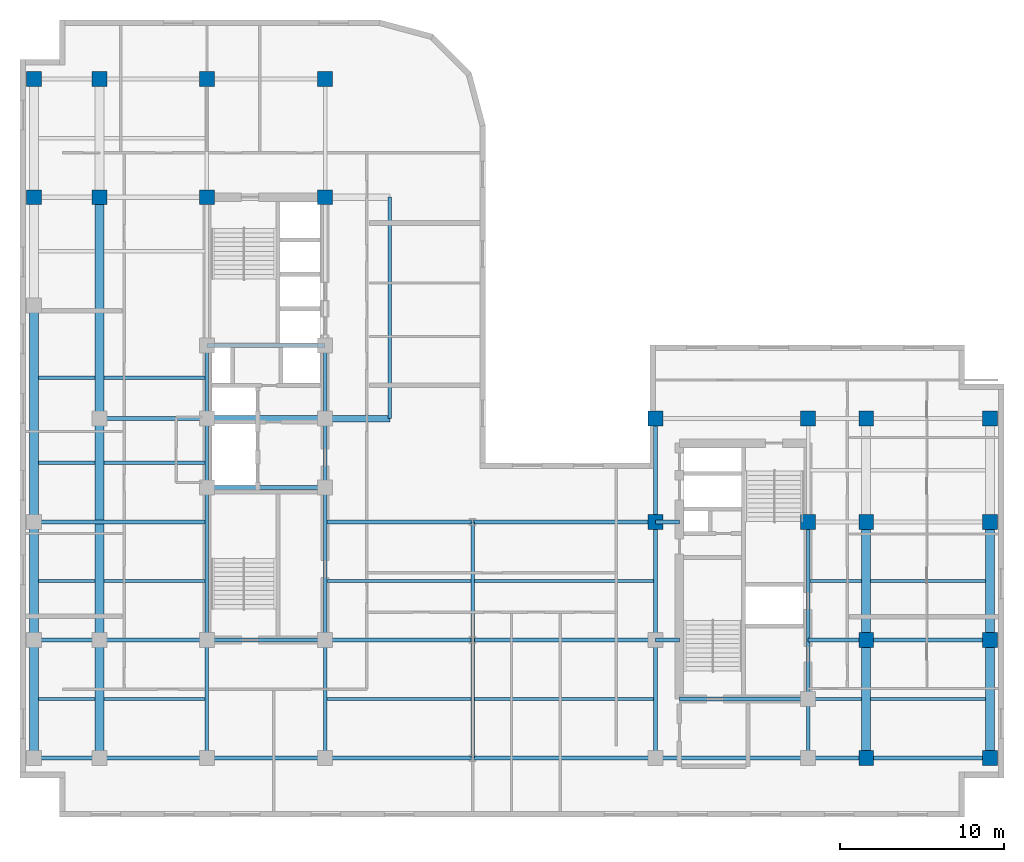
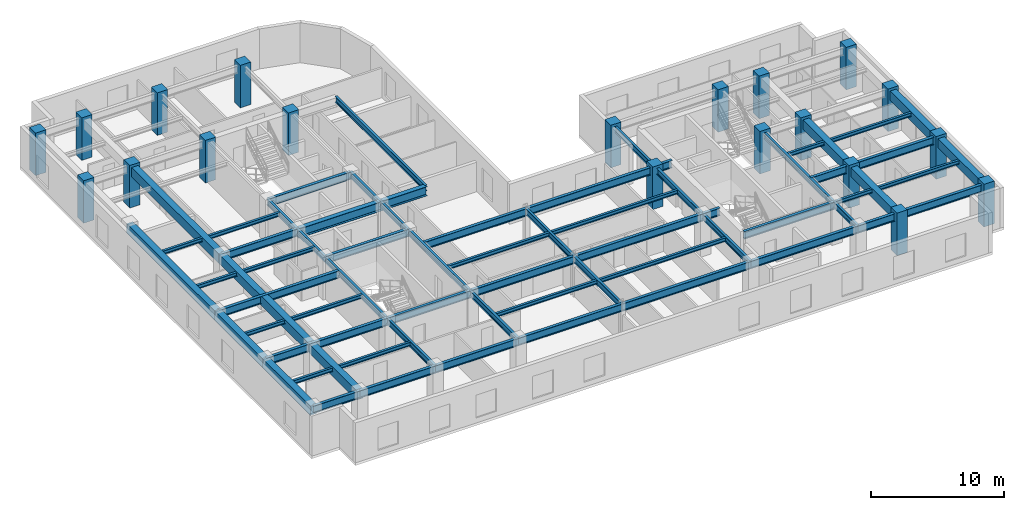
# One storey, part 2 of 11: 67 beams, 20 columns.
"""IFC4 building model written with IfcOpenShell, lengths in metres."""

import ifcopenshell
import ifcopenshell.guid

model = None  # the IFC model being written
_history = None  # IfcOwnerHistory: only IFC2X3 demands one
_inside = {}  # id of a spatial element -> (the spatial element, [elements in it])
_under = {}  # id of a project, library or spatial element -> (it, [spatial elements below it])
_declared = {}  # id of a project -> (the project, [libraries it declares])
_typed = {}  # id of a type object -> (the type object, [elements of that type])
_made_of = {}  # id of a material, layer set ... -> (it, [elements and type objects made of it])


def new_model(schema):
    """Start an empty IFC model of exactly this schema.

    Asked for "IFC4X3", IfcOpenShell would pick the latest addendum, in which some entities
    have other attributes; the version numbers below select the first issue.
    IFC2X3 requires an IfcOwnerHistory on every rooted entity: one is made here for all.
    """
    global model, _history
    if schema == "IFC4X3":
        model = ifcopenshell.file(schema_version=(4, 3, 0, 0))
    else:
        model = ifcopenshell.file(schema=schema)
    _inside.clear()
    _under.clear()
    _declared.clear()
    _typed.clear()
    _made_of.clear()
    _history = None
    if model.schema == "IFC2X3":
        org = make("IfcOrganization", Name="unknown")
        user = make(
            "IfcPersonAndOrganization",
            ThePerson=make("IfcPerson", FamilyName="unknown"),
            TheOrganization=org,
        )
        app = make(
            "IfcApplication",
            ApplicationDeveloper=org,
            Version="unknown",
            ApplicationFullName="unknown",
            ApplicationIdentifier="unknown",
        )
        _history = make(
            "IfcOwnerHistory",
            OwningUser=user,
            OwningApplication=app,
            ChangeAction="ADDED",
            CreationDate=0,
        )
    return model


def make(cls, **values):
    """One entity of the class cls with the attributes given. An attribute that is None is left unset."""
    return model.create_entity(
        cls, **{name: value for name, value in values.items() if value is not None}
    )


def entity(cls, *values):
    """Any entity or typed value of the class cls, its attributes in the order of the schema. None: left unset."""
    e = model.create_entity(cls)
    for i, value in enumerate(values):
        if value is not None:
            e[i] = value
    return e


def rooted(cls, **values):
    """An entity with a GlobalId (a new one), such as an element, a storey or a relation."""
    return make(cls, GlobalId=ifcopenshell.guid.new(), OwnerHistory=_history, **values)


def si_unit(unit_type, name, prefix=None):
    """IfcSIUnit, for example si_unit("LENGTHUNIT", "METRE", prefix="MILLI")."""
    return make("IfcSIUnit", UnitType=unit_type, Prefix=prefix, Name=name)


def converted_unit(unit_type, name, factor, base, dimensions=None, offset=None):
    """IfcConversionBasedUnit, such as the inch: factor (a typed value) times the base unit."""
    return make(
        "IfcConversionBasedUnit"
        if offset is None
        else "IfcConversionBasedUnitWithOffset",
        ConversionOffset=offset,
        Dimensions=None
        if dimensions is None
        else entity("IfcDimensionalExponents", *dimensions),
        UnitType=unit_type,
        Name=name,
        ConversionFactor=make(
            "IfcMeasureWithUnit", ValueComponent=factor, UnitComponent=base
        ),
    )


def assignment(units):
    """IfcUnitAssignment: the units of a project."""
    return None if units is None else make("IfcUnitAssignment", Units=units)


def point(xyz):
    """IfcCartesianPoint."""
    return None if xyz is None else make("IfcCartesianPoint", Coordinates=xyz)


def direction(xyz):
    """IfcDirection."""
    return None if xyz is None else make("IfcDirection", DirectionRatios=xyz)


def frame(location, z_axis=None, x_axis=None):
    """IfcAxis2Placement3D, a coordinate frame: its origin and axes. An axis left out is left unset."""
    return make(
        "IfcAxis2Placement3D",
        Location=point(location),
        Axis=direction(z_axis),
        RefDirection=direction(x_axis),
    )


def frame_2d(location, x_axis=None):
    """IfcAxis2Placement2D, a coordinate frame in the plane: its origin and x axis."""
    return make(
        "IfcAxis2Placement2D", Location=point(location), RefDirection=direction(x_axis)
    )


def origin_with_axes():
    """The frame at (0, 0, 0) with the z axis (0, 0, 1) and the x axis (1, 0, 0) written out."""
    return frame((0.0, 0.0, 0.0), z_axis=(0.0, 0.0, 1.0), x_axis=(1.0, 0.0, 0.0))


def origin_2d_with_axis():
    """The frame at (0, 0) in the plane with the x axis (1, 0) written out."""
    return frame_2d((0.0, 0.0), x_axis=(1.0, 0.0))


def place(relative_to, where):
    """IfcLocalPlacement: puts the frame where relative to a parent placement (None: the world)."""
    return make(
        "IfcLocalPlacement", PlacementRelTo=relative_to, RelativePlacement=where
    )


def context(
    kind, dimensions, precision=None, world=None, true_north=None, identifier=None
):
    """IfcGeometricRepresentationContext, for example the 3D "Model" context."""
    return make(
        "IfcGeometricRepresentationContext",
        ContextIdentifier=identifier,
        ContextType=kind,
        CoordinateSpaceDimension=dimensions,
        Precision=precision,
        WorldCoordinateSystem=world,
        TrueNorth=true_north,
    )


def subcontext(parent, identifier, kind, view, scale=None):
    """IfcGeometricRepresentationSubContext, for example "Body" below "Model"."""
    return make(
        "IfcGeometricRepresentationSubContext",
        ContextIdentifier=identifier,
        ContextType=kind,
        ParentContext=parent,
        TargetScale=scale,
        TargetView=view,
    )


def project(units=None, contexts=None):
    """IfcProject with its units and contexts."""
    return rooted(
        "IfcProject",
        Name="project",
        RepresentationContexts=contexts,
        UnitsInContext=assignment(units),
    )


def spatial(cls, under=None, at=None, **own):
    """A site, building, storey or space (cls), placed at a placement, below another one or the project."""
    s = rooted(cls, ObjectPlacement=at, **own)
    if under is not None:
        _under.setdefault(under.id(), (under, []))[1].append(s)
    return s


def profile(cls, at=None, kind="AREA", **sizes):
    """A parametric profile (cls). Its sizes go by their IFC names, for example OverallWidth=200.0."""
    return make(cls, ProfileType=kind, Position=at, **sizes)


def rectangle(**sizes):
    """IfcRectangleProfileDef."""
    return profile("IfcRectangleProfileDef", **sizes)


def i_section(**sizes):
    """IfcIShapeProfileDef."""
    return profile("IfcIShapeProfileDef", **sizes)


def extrude(swept, where, along, depth):
    """IfcExtrudedAreaSolid: the profile swept, set in the frame where, extruded along a direction by depth."""
    return make(
        "IfcExtrudedAreaSolid",
        SweptArea=swept,
        Position=where,
        ExtrudedDirection=direction(along),
        Depth=depth,
    )


def shape(context_of_items, identifier, shape_type, items):
    """IfcShapeRepresentation: the items that make up one representation, for example the "Body"."""
    return make(
        "IfcShapeRepresentation",
        ContextOfItems=context_of_items,
        RepresentationIdentifier=identifier,
        RepresentationType=shape_type,
        Items=items,
    )


def material(Name=None, Category=None):
    """IfcMaterial."""
    return make("IfcMaterial", Name=Name, Category=Category)


def material_profile(
    of_material, cross_section, Name=None, Category=None, Priority=None
):
    """IfcMaterialProfile: a cross section and its material."""
    return make(
        "IfcMaterialProfile",
        Name=Name,
        Material=of_material,
        Profile=cross_section,
        Priority=Priority,
        Category=Category,
    )


def profile_set(profiles, Name=None, composite=None):
    """IfcMaterialProfileSet."""
    return make(
        "IfcMaterialProfileSet",
        Name=Name,
        MaterialProfiles=profiles,
        CompositeProfile=composite,
    )


def made_of(thing, what):
    """Note that an element or type object is made of a material, layer set ...; save() writes the relation."""
    if what is not None:
        _made_of.setdefault(what.id(), (what, []))[1].append(thing)
    return thing


def type_object(cls, material=None, **own):
    """A type object (cls), such as IfcWallType, which elements share."""
    return made_of(rooted(cls, **own), material)


def element(
    cls,
    number,
    at=None,
    inside=None,
    cuts=None,
    type_object=None,
    material=None,
    context=None,
    identifier="Body",
    shape_type=None,
    held_by="IfcProductDefinitionShape",
    body=None,
    shapes=None,
    **own,
):
    """One element of the class cls, such as IfcWall. Its Tag is "e" and its number.

    at: its placement. inside: the storey or other place that contains it. cuts: it is an
    opening in that element (IfcRelVoidsElement). A single representation is given by context,
    identifier, shape_type and body (its items); several are given by shapes. held_by: the class
    of the entity that holds the representations. save() writes the other relations.
    """
    e = rooted(cls, Tag="e%d" % number, ObjectPlacement=at, **own)
    if body is not None:
        shapes = [shape(context, identifier, shape_type, body)]
    if shapes is not None:
        e.Representation = make(held_by, Representations=shapes)
    if inside is not None:
        _inside.setdefault(inside.id(), (inside, []))[1].append(e)
    if cuts is not None:
        rooted(
            "IfcRelVoidsElement", RelatingBuildingElement=cuts, RelatedOpeningElement=e
        )
    if type_object is not None:
        _typed.setdefault(type_object.id(), (type_object, []))[1].append(e)
    return made_of(e, material)


def aggregate(whole, parts):
    """IfcRelAggregates: a whole, such as a stair, and the parts it consists of."""
    return rooted("IfcRelAggregates", RelatingObject=whole, RelatedObjects=parts)


def save(model, path):
    """Write the relations noted so far, then the file.

    IfcRelAggregates (storeys below a building ...), IfcRelContainedInSpatialStructure (elements
    in a storey), IfcRelDefinesByType, IfcRelAssociatesMaterial and IfcRelDeclares: one each for
    every whole, place, type object, material and project.
    """
    for whole, parts in _under.values():
        aggregate(whole, parts)
    for where, things in _inside.values():
        rooted(
            "IfcRelContainedInSpatialStructure",
            RelatedElements=things,
            RelatingStructure=where,
        )
    for kind, things in _typed.values():
        rooted("IfcRelDefinesByType", RelatedObjects=things, RelatingType=kind)
    for what, things in _made_of.values():
        rooted("IfcRelAssociatesMaterial", RelatedObjects=things, RelatingMaterial=what)
    for by, libraries in _declared.values():
        rooted("IfcRelDeclares", RelatingContext=by, RelatedDefinitions=libraries)
    model.write(path)


model = new_model("IFC4")

# Units and contexts
model_context = context("Model", 3, precision=1e-05, world=origin_with_axes(), true_north=direction((0.0, 1.0)))
body_context = subcontext(model_context, "Body", "Model", "MODEL_VIEW")
ifc_project = project(units=[si_unit("LENGTHUNIT", "METRE"), si_unit("AREAUNIT", "SQUARE_METRE"), si_unit("VOLUMEUNIT", "CUBIC_METRE"), converted_unit("PLANEANGLEUNIT", "DEGREE", entity("IfcPlaneAngleMeasure", 0.017453292519943295), si_unit("PLANEANGLEUNIT", "RADIAN"), dimensions=[0, 0, 0, 0, 0, 0, 0]), si_unit("MASSUNIT", "GRAM", prefix="KILO"), si_unit("THERMODYNAMICTEMPERATUREUNIT", "KELVIN")], contexts=[model_context])

# Site, building, storey
site_placement = place(None, origin_with_axes())
site = spatial("IfcSite", under=ifc_project, at=site_placement, CompositionType="ELEMENT")
building_placement = place(site_placement, origin_with_axes())
building = spatial("IfcBuilding", under=site, at=building_placement, Name="Varnlund Millrace Tower", CompositionType="ELEMENT")
storey_placement = place(building_placement, frame((0.0, 0.0, 196.5), z_axis=(0.0, 0.0, 1.0), x_axis=(1.0, 0.0, 0.0)))
storey = spatial("IfcBuildingStorey", under=building, at=storey_placement, Name="L48", CompositionType="ELEMENT", Elevation=196.5)

# Columns
ifc_material_1 = material(Name="Concrete C70/85", Category="concrete")
ifc_material_profile_1 = material_profile(ifc_material_1, rectangle(XDim=0.9, YDim=0.9, at=origin_2d_with_axis()), Name="Concrete C70/85")
ifc_profile_set_1 = profile_set([ifc_material_profile_1], Name="Concrete C70/85")
column_type = type_object("IfcColumnType", Name="Type-Col-RC900-C70", PredefinedType="COLUMN", material=ifc_profile_set_1)
for number, where, z_axis, x_axis, name in (
    (1, (11.4, 37.8, 0.0), (0.0, 0.0, 1.0), (1.0, 0.0, 0.0), "Type-Col-RC900-C70"),
    (2, (11.4, 45.0, 0.0), (0.0, 0.0, 1.0), (1.0, 0.0, 0.0), "Type-Col-RC900-C70"),
    (3, (18.6, 37.8, 0.0), (0.0, 0.0, 1.0), (1.0, 0.0, 0.0), "Type-Col-RC900-C70"),
    (4, (18.6, 45.0, 0.0), (0.0, 0.0, 1.0), (1.0, 0.0, 0.0), "Type-Col-RC900-C70"),
    (5, (4.85, 37.8, 0.0), (0.0, 0.0, 1.0), (1.0, 0.0, 0.0), "Type-Col-RC900-C70"),
    (6, (4.85, 45.0, 0.0), (0.0, 0.0, 1.0), (1.0, 0.0, 0.0), "Type-Col-RC900-C70"),
    (7, (0.85, 37.8, 0.0), (0.0, 0.0, 1.0), (1.0, 0.0, 0.0), "Type-Col-RC900-C70"),
    (8, (0.85, 45.0, 0.0), (0.0, 0.0, 1.0), (1.0, 0.0, 0.0), "Type-Col-RC900-C70"),
    (9, (38.75, 18.0, 0.0), (0.0, 0.0, 1.0), (1.0, 0.0, 0.0), "Type-Col-RC900-C70"),
    (10, (38.75, 24.3, 0.0), (0.0, 0.0, 1.0), (1.0, 0.0, 0.0), "Type-Col-RC900-C70"),
    (11, (48.05, 18.0, 0.0), (0.0, 0.0, 1.0), (1.0, 0.0, 0.0), "Type-Col-RC900-C70"),
    (12, (48.05, 24.3, 0.0), (0.0, 0.0, 1.0), (1.0, 0.0, 0.0), "Type-Col-RC900-C70"),
    (13, (51.6, 3.6, 0.0), (0.0, 0.0, 1.0), (1.0, 0.0, 0.0), "Type-Col-RC900-C70"),
    (14, (51.6, 10.8, 0.0), (0.0, 0.0, 1.0), (1.0, 0.0, 0.0), "Type-Col-RC900-C70"),
    (15, (51.6, 18.0, 0.0), (0.0, 0.0, 1.0), (1.0, 0.0, 0.0), "Type-Col-RC900-C70"),
    (16, (51.6, 24.3, 0.0), (0.0, 0.0, 1.0), (1.0, 0.0, 0.0), "Type-Col-RC900-C70"),
    (17, (59.15, 3.6, 0.0), (0.0, 0.0, 1.0), (1.0, 0.0, 0.0), "Type-Col-RC900-C70"),
    (18, (59.15, 10.8, 0.0), (0.0, 0.0, 1.0), (1.0, 0.0, 0.0), "Type-Col-RC900-C70"),
    (19, (59.15, 18.0, 0.0), (0.0, 0.0, 1.0), (1.0, 0.0, 0.0), "Type-Col-RC900-C70"),
    (20, (59.15, 24.3, 0.0), (0.0, 0.0, 1.0), (1.0, 0.0, 0.0), "Type-Col-RC900-C70"),
):
    element("IfcColumn", number, at=place(storey_placement, frame(where, z_axis=z_axis, x_axis=x_axis)), inside=storey, type_object=column_type, Name=name, PredefinedType="COLUMN", context=body_context, shape_type="SweptSolid", body=[
        extrude(rectangle(XDim=0.9, YDim=0.9, at=origin_2d_with_axis()), origin_with_axes(), (0.0, 0.0, 1.0), 3.9),
    ])

# Beams
ifc_material_2 = material(Name="Steel ASTM A992 Grade 50", Category="steel")
ifc_material_profile_2 = material_profile(ifc_material_2, i_section(OverallWidth=0.209, OverallDepth=0.533, WebThickness=0.0102, FlangeThickness=0.0156, FilletRadius=0.014, at=origin_2d_with_axis()), Name="Steel ASTM A992 Grade 50")
ifc_profile_set_2 = profile_set([ifc_material_profile_2], Name="Steel ASTM A992 Grade 50")
beam_type_1 = type_object("IfcBeamType", Name="Type-Beam-W21X62", PredefinedType="BEAM", material=ifc_profile_set_2)
beam_1_placement = place(storey_placement, frame((22.55, 24.3, 3.3935), z_axis=(0.0, 1.0, 0.0), x_axis=(-1.0, 0.0, 0.0)))
element("IfcBeam", 21, at=beam_1_placement, inside=storey, type_object=beam_type_1, Name="Type-Beam-W21X62", PredefinedType="BEAM", context=body_context, shape_type="SweptSolid", body=[
    extrude(i_section(OverallWidth=0.209, OverallDepth=0.533, WebThickness=0.0102, FlangeThickness=0.0156, FilletRadius=0.014, at=origin_2d_with_axis()), origin_with_axes(), (0.0, 0.0, 1.0), 13.5),
])
ifc_material_profile_3 = material_profile(ifc_material_2, i_section(OverallWidth=0.214, OverallDepth=0.549, WebThickness=0.0147, FlangeThickness=0.0236, FilletRadius=0.015, at=origin_2d_with_axis()), Name="Steel ASTM A992 Grade 50")
ifc_profile_set_3 = profile_set([ifc_material_profile_3], Name="Steel ASTM A992 Grade 50")
beam_type_2 = type_object("IfcBeamType", Name="Type-Beam-W21X93", PredefinedType="BEAM", material=ifc_profile_set_3)
beam_2_placement = place(storey_placement, frame((11.4, 3.6, 3.3855), z_axis=(0.0, 1.0, 0.0), x_axis=(-1.0, 0.0, 0.0)))
element("IfcBeam", 22, at=beam_2_placement, inside=storey, type_object=beam_type_2, Name="Type-Beam-W21X93", PredefinedType="BEAM", context=body_context, shape_type="SweptSolid", body=[
    extrude(i_section(OverallWidth=0.214, OverallDepth=0.549, WebThickness=0.0147, FlangeThickness=0.0236, FilletRadius=0.015, at=origin_2d_with_axis()), origin_with_axes(), (0.0, 0.0, 1.0), 7.2),
])
beam_3_placement = place(storey_placement, frame((11.4, 10.8, 3.3855), z_axis=(0.0, 1.0, 0.0), x_axis=(-1.0, 0.0, 0.0)))
element("IfcBeam", 23, at=beam_3_placement, inside=storey, type_object=beam_type_2, Name="Type-Beam-W21X93", PredefinedType="BEAM", context=body_context, shape_type="SweptSolid", body=[
    extrude(i_section(OverallWidth=0.214, OverallDepth=0.549, WebThickness=0.0147, FlangeThickness=0.0236, FilletRadius=0.015, at=origin_2d_with_axis()), origin_with_axes(), (0.0, 0.0, 1.0), 9.3),
])
beam_4_placement = place(storey_placement, frame((11.4, 20.1, 3.3855), z_axis=(0.0, 1.0, 0.0), x_axis=(-1.0, 0.0, 0.0)))
element("IfcBeam", 24, at=beam_4_placement, inside=storey, type_object=beam_type_2, Name="Type-Beam-W21X93", PredefinedType="BEAM", context=body_context, shape_type="SweptSolid", body=[
    extrude(i_section(OverallWidth=0.214, OverallDepth=0.549, WebThickness=0.0147, FlangeThickness=0.0236, FilletRadius=0.015, at=origin_2d_with_axis()), origin_with_axes(), (0.0, 0.0, 1.0), 4.2),
])
beam_5_placement = place(storey_placement, frame((11.4, 24.3, 3.3855), z_axis=(0.0, 1.0, 0.0), x_axis=(-1.0, 0.0, 0.0)))
element("IfcBeam", 25, at=beam_5_placement, inside=storey, type_object=beam_type_2, Name="Type-Beam-W21X93", PredefinedType="BEAM", context=body_context, shape_type="SweptSolid", body=[
    extrude(i_section(OverallWidth=0.214, OverallDepth=0.549, WebThickness=0.0147, FlangeThickness=0.0236, FilletRadius=0.015, at=origin_2d_with_axis()), origin_with_axes(), (0.0, 0.0, 1.0), 4.45),
])
beam_6_placement = place(storey_placement, frame((18.6, 3.6, 3.3855), z_axis=(0.0, 1.0, 0.0), x_axis=(-1.0, 0.0, 0.0)))
element("IfcBeam", 26, at=beam_6_placement, inside=storey, type_object=beam_type_2, Name="Type-Beam-W21X93", PredefinedType="BEAM", context=body_context, shape_type="SweptSolid", body=[
    extrude(i_section(OverallWidth=0.214, OverallDepth=0.549, WebThickness=0.0147, FlangeThickness=0.0236, FilletRadius=0.015, at=origin_2d_with_axis()), origin_with_axes(), (0.0, 0.0, 1.0), 7.2),
])
beam_7_placement = place(storey_placement, frame((18.6, 10.8, 3.3855), z_axis=(0.0, 1.0, 0.0), x_axis=(-1.0, 0.0, 0.0)))
element("IfcBeam", 27, at=beam_7_placement, inside=storey, type_object=beam_type_2, Name="Type-Beam-W21X93", PredefinedType="BEAM", context=body_context, shape_type="SweptSolid", body=[
    extrude(i_section(OverallWidth=0.214, OverallDepth=0.549, WebThickness=0.0147, FlangeThickness=0.0236, FilletRadius=0.015, at=origin_2d_with_axis()), origin_with_axes(), (0.0, 0.0, 1.0), 9.3),
])
beam_8_placement = place(storey_placement, frame((18.6, 20.1, 3.3855), z_axis=(0.0, 1.0, 0.0), x_axis=(-1.0, 0.0, 0.0)))
element("IfcBeam", 28, at=beam_8_placement, inside=storey, type_object=beam_type_2, Name="Type-Beam-W21X93", PredefinedType="BEAM", context=body_context, shape_type="SweptSolid", body=[
    extrude(i_section(OverallWidth=0.214, OverallDepth=0.549, WebThickness=0.0147, FlangeThickness=0.0236, FilletRadius=0.015, at=origin_2d_with_axis()), origin_with_axes(), (0.0, 0.0, 1.0), 4.2),
])
beam_9_placement = place(storey_placement, frame((18.6, 24.3, 3.3855), z_axis=(0.0, 1.0, 0.0), x_axis=(-1.0, 0.0, 0.0)))
element("IfcBeam", 29, at=beam_9_placement, inside=storey, type_object=beam_type_2, Name="Type-Beam-W21X93", PredefinedType="BEAM", context=body_context, shape_type="SweptSolid", body=[
    extrude(i_section(OverallWidth=0.214, OverallDepth=0.549, WebThickness=0.0147, FlangeThickness=0.0236, FilletRadius=0.015, at=origin_2d_with_axis()), origin_with_axes(), (0.0, 0.0, 1.0), 4.45),
])
for number, where, z_axis, x_axis, name in (
    (30, (27.6, 3.6, 3.3855), (0.0, 1.0, 0.0), (-1.0, 0.0, 0.0), "Type-Beam-W21X93"),
    (31, (27.6, 10.8, 3.3855), (0.0, 1.0, 0.0), (-1.0, 0.0, 0.0), "Type-Beam-W21X93"),
    (32, (38.75, 3.6, 3.3855), (0.0, 1.0, 0.0), (-1.0, 0.0, 0.0), "Type-Beam-W21X93"),
    (33, (38.75, 10.8, 3.3855), (0.0, 1.0, 0.0), (-1.0, 0.0, 0.0), "Type-Beam-W21X93"),
):
    element("IfcBeam", number, at=place(storey_placement, frame(where, z_axis=z_axis, x_axis=x_axis)), inside=storey, type_object=beam_type_2, Name=name, PredefinedType="BEAM", context=body_context, shape_type="SweptSolid", body=[
        extrude(i_section(OverallWidth=0.214, OverallDepth=0.549, WebThickness=0.0147, FlangeThickness=0.0236, FilletRadius=0.015, at=origin_2d_with_axis()), origin_with_axes(), (0.0, 0.0, 1.0), 7.2),
    ])
beam_10_placement = place(storey_placement, frame((38.75, 18.0, 3.3855), z_axis=(0.0, 1.0, 0.0), x_axis=(-1.0, 0.0, 0.0)))
element("IfcBeam", 34, at=beam_10_placement, inside=storey, type_object=beam_type_2, Name="Type-Beam-W21X93", PredefinedType="BEAM", context=body_context, shape_type="SweptSolid", body=[
    extrude(i_section(OverallWidth=0.214, OverallDepth=0.549, WebThickness=0.0147, FlangeThickness=0.0236, FilletRadius=0.015, at=origin_2d_with_axis()), origin_with_axes(), (0.0, 0.0, 1.0), 6.3),
])
beam_11_placement = place(storey_placement, frame((48.05, 3.6, 3.3855), z_axis=(0.0, 1.0, 0.0), x_axis=(-1.0, 0.0, 0.0)))
element("IfcBeam", 35, at=beam_11_placement, inside=storey, type_object=beam_type_2, Name="Type-Beam-W21X93", PredefinedType="BEAM", context=body_context, shape_type="SweptSolid", body=[
    extrude(i_section(OverallWidth=0.214, OverallDepth=0.549, WebThickness=0.0147, FlangeThickness=0.0236, FilletRadius=0.015, at=origin_2d_with_axis()), origin_with_axes(), (0.0, 0.0, 1.0), 3.6),
])
beam_12_placement = place(storey_placement, frame((48.05, 7.2, 3.3855), z_axis=(0.0, 1.0, 0.0), x_axis=(-1.0, 0.0, 0.0)))
element("IfcBeam", 36, at=beam_12_placement, inside=storey, type_object=beam_type_2, Name="Type-Beam-W21X93", PredefinedType="BEAM", context=body_context, shape_type="SweptSolid", body=[
    extrude(i_section(OverallWidth=0.214, OverallDepth=0.549, WebThickness=0.0147, FlangeThickness=0.0236, FilletRadius=0.015, at=origin_2d_with_axis()), origin_with_axes(), (0.0, 0.0, 1.0), 10.8),
])
ifc_material_profile_4 = material_profile(ifc_material_2, i_section(OverallWidth=0.256, OverallDepth=0.693, WebThickness=0.0145, FlangeThickness=0.0236, FilletRadius=0.018, at=origin_2d_with_axis()), Name="Steel ASTM A992 Grade 50")
ifc_profile_set_4 = profile_set([ifc_material_profile_4], Name="Steel ASTM A992 Grade 50")
beam_type_3 = type_object("IfcBeamType", Name="Type-Girder-W27X114", PredefinedType="USERDEFINED", material=ifc_profile_set_4)
beam_13_placement = place(storey_placement, frame((0.85, 3.6, 3.3135), z_axis=(1.0, 0.0, 0.0), x_axis=(0.0, 1.0, 0.0)))
element("IfcBeam", 37, at=beam_13_placement, inside=storey, type_object=beam_type_3, Name="Type-Girder-W27X114", ObjectType="GIRDER", PredefinedType="USERDEFINED", context=body_context, shape_type="SweptSolid", body=[
    extrude(i_section(OverallWidth=0.256, OverallDepth=0.693, WebThickness=0.0145, FlangeThickness=0.0236, FilletRadius=0.018, at=origin_2d_with_axis()), origin_with_axes(), (0.0, 0.0, 1.0), 4.0),
])
beam_14_placement = place(storey_placement, frame((4.85, 3.6, 3.3135), z_axis=(1.0, 0.0, 0.0), x_axis=(0.0, 1.0, 0.0)))
element("IfcBeam", 38, at=beam_14_placement, inside=storey, type_object=beam_type_3, Name="Type-Girder-W27X114", ObjectType="GIRDER", PredefinedType="USERDEFINED", context=body_context, shape_type="SweptSolid", body=[
    extrude(i_section(OverallWidth=0.256, OverallDepth=0.693, WebThickness=0.0145, FlangeThickness=0.0236, FilletRadius=0.018, at=origin_2d_with_axis()), origin_with_axes(), (0.0, 0.0, 1.0), 6.55),
])
beam_15_placement = place(storey_placement, frame((11.4, 3.6, 3.3135), z_axis=(1.0, 0.0, 0.0), x_axis=(0.0, 1.0, 0.0)))
element("IfcBeam", 39, at=beam_15_placement, inside=storey, type_object=beam_type_3, Name="Type-Girder-W27X114", ObjectType="GIRDER", PredefinedType="USERDEFINED", context=body_context, shape_type="SweptSolid", body=[
    extrude(i_section(OverallWidth=0.256, OverallDepth=0.693, WebThickness=0.0145, FlangeThickness=0.0236, FilletRadius=0.018, at=origin_2d_with_axis()), origin_with_axes(), (0.0, 0.0, 1.0), 7.2),
])
beam_16_placement = place(storey_placement, frame((18.6, 3.6, 3.3135), z_axis=(1.0, 0.0, 0.0), x_axis=(0.0, 1.0, 0.0)))
element("IfcBeam", 40, at=beam_16_placement, inside=storey, type_object=beam_type_3, Name="Type-Girder-W27X114", ObjectType="GIRDER", PredefinedType="USERDEFINED", context=body_context, shape_type="SweptSolid", body=[
    extrude(i_section(OverallWidth=0.256, OverallDepth=0.693, WebThickness=0.0145, FlangeThickness=0.0236, FilletRadius=0.018, at=origin_2d_with_axis()), origin_with_axes(), (0.0, 0.0, 1.0), 9.0),
])
beam_17_placement = place(storey_placement, frame((27.6, 3.6, 3.3135), z_axis=(1.0, 0.0, 0.0), x_axis=(0.0, 1.0, 0.0)))
element("IfcBeam", 41, at=beam_17_placement, inside=storey, type_object=beam_type_3, Name="Type-Girder-W27X114", ObjectType="GIRDER", PredefinedType="USERDEFINED", context=body_context, shape_type="SweptSolid", body=[
    extrude(i_section(OverallWidth=0.256, OverallDepth=0.693, WebThickness=0.0145, FlangeThickness=0.0236, FilletRadius=0.018, at=origin_2d_with_axis()), origin_with_axes(), (0.0, 0.0, 1.0), 11.15),
])
beam_18_placement = place(storey_placement, frame((38.75, 3.6, 3.3135), z_axis=(1.0, 0.0, 0.0), x_axis=(0.0, 1.0, 0.0)))
element("IfcBeam", 42, at=beam_18_placement, inside=storey, type_object=beam_type_3, Name="Type-Girder-W27X114", ObjectType="GIRDER", PredefinedType="USERDEFINED", context=body_context, shape_type="SweptSolid", body=[
    extrude(i_section(OverallWidth=0.256, OverallDepth=0.693, WebThickness=0.0145, FlangeThickness=0.0236, FilletRadius=0.018, at=origin_2d_with_axis()), origin_with_axes(), (0.0, 0.0, 1.0), 9.3),
])
beam_19_placement = place(storey_placement, frame((48.05, 3.6, 3.3135), z_axis=(1.0, 0.0, 0.0), x_axis=(0.0, 1.0, 0.0)))
element("IfcBeam", 43, at=beam_19_placement, inside=storey, type_object=beam_type_3, Name="Type-Girder-W27X114", ObjectType="GIRDER", PredefinedType="USERDEFINED", context=body_context, shape_type="SweptSolid", body=[
    extrude(i_section(OverallWidth=0.256, OverallDepth=0.693, WebThickness=0.0145, FlangeThickness=0.0236, FilletRadius=0.018, at=origin_2d_with_axis()), origin_with_axes(), (0.0, 0.0, 1.0), 3.55),
])
beam_20_placement = place(storey_placement, frame((51.6, 3.6, 3.3135), z_axis=(1.0, 0.0, 0.0), x_axis=(0.0, 1.0, 0.0)))
element("IfcBeam", 44, at=beam_20_placement, inside=storey, type_object=beam_type_3, Name="Type-Girder-W27X114", ObjectType="GIRDER", PredefinedType="USERDEFINED", context=body_context, shape_type="SweptSolid", body=[
    extrude(i_section(OverallWidth=0.256, OverallDepth=0.693, WebThickness=0.0145, FlangeThickness=0.0236, FilletRadius=0.018, at=origin_2d_with_axis()), origin_with_axes(), (0.0, 0.0, 1.0), 7.55),
])
beam_21_placement = place(storey_placement, frame((40.2, 7.2, 3.3135), z_axis=(1.0, 0.0, 0.0), x_axis=(0.0, 1.0, 0.0)))
element("IfcBeam", 45, at=beam_21_placement, inside=storey, type_object=beam_type_3, Name="Type-Girder-W27X114", ObjectType="GIRDER", PredefinedType="USERDEFINED", context=body_context, shape_type="SweptSolid", body=[
    extrude(i_section(OverallWidth=0.256, OverallDepth=0.693, WebThickness=0.0145, FlangeThickness=0.0236, FilletRadius=0.018, at=origin_2d_with_axis()), origin_with_axes(), (0.0, 0.0, 1.0), 7.85),
])
beam_22_placement = place(storey_placement, frame((0.85, 10.8, 3.3135), z_axis=(1.0, 0.0, 0.0), x_axis=(0.0, 1.0, 0.0)))
element("IfcBeam", 46, at=beam_22_placement, inside=storey, type_object=beam_type_3, Name="Type-Girder-W27X114", ObjectType="GIRDER", PredefinedType="USERDEFINED", context=body_context, shape_type="SweptSolid", body=[
    extrude(i_section(OverallWidth=0.256, OverallDepth=0.693, WebThickness=0.0145, FlangeThickness=0.0236, FilletRadius=0.018, at=origin_2d_with_axis()), origin_with_axes(), (0.0, 0.0, 1.0), 4.0),
])
beam_23_placement = place(storey_placement, frame((4.85, 10.8, 3.3135), z_axis=(1.0, 0.0, 0.0), x_axis=(0.0, 1.0, 0.0)))
element("IfcBeam", 47, at=beam_23_placement, inside=storey, type_object=beam_type_3, Name="Type-Girder-W27X114", ObjectType="GIRDER", PredefinedType="USERDEFINED", context=body_context, shape_type="SweptSolid", body=[
    extrude(i_section(OverallWidth=0.256, OverallDepth=0.693, WebThickness=0.0145, FlangeThickness=0.0236, FilletRadius=0.018, at=origin_2d_with_axis()), origin_with_axes(), (0.0, 0.0, 1.0), 6.55),
])
beam_24_placement = place(storey_placement, frame((11.4, 10.8, 3.3135), z_axis=(1.0, 0.0, 0.0), x_axis=(0.0, 1.0, 0.0)))
element("IfcBeam", 48, at=beam_24_placement, inside=storey, type_object=beam_type_3, Name="Type-Girder-W27X114", ObjectType="GIRDER", PredefinedType="USERDEFINED", context=body_context, shape_type="SweptSolid", body=[
    extrude(i_section(OverallWidth=0.256, OverallDepth=0.693, WebThickness=0.0145, FlangeThickness=0.0236, FilletRadius=0.018, at=origin_2d_with_axis()), origin_with_axes(), (0.0, 0.0, 1.0), 7.2),
])
beam_25_placement = place(storey_placement, frame((18.6, 10.8, 3.3135), z_axis=(1.0, 0.0, 0.0), x_axis=(0.0, 1.0, 0.0)))
element("IfcBeam", 49, at=beam_25_placement, inside=storey, type_object=beam_type_3, Name="Type-Girder-W27X114", ObjectType="GIRDER", PredefinedType="USERDEFINED", context=body_context, shape_type="SweptSolid", body=[
    extrude(i_section(OverallWidth=0.256, OverallDepth=0.693, WebThickness=0.0145, FlangeThickness=0.0236, FilletRadius=0.018, at=origin_2d_with_axis()), origin_with_axes(), (0.0, 0.0, 1.0), 9.0),
])
beam_26_placement = place(storey_placement, frame((27.6, 10.8, 3.3135), z_axis=(1.0, 0.0, 0.0), x_axis=(0.0, 1.0, 0.0)))
element("IfcBeam", 50, at=beam_26_placement, inside=storey, type_object=beam_type_3, Name="Type-Girder-W27X114", ObjectType="GIRDER", PredefinedType="USERDEFINED", context=body_context, shape_type="SweptSolid", body=[
    extrude(i_section(OverallWidth=0.256, OverallDepth=0.693, WebThickness=0.0145, FlangeThickness=0.0236, FilletRadius=0.018, at=origin_2d_with_axis()), origin_with_axes(), (0.0, 0.0, 1.0), 11.15),
])
beam_27_placement = place(storey_placement, frame((38.75, 10.8, 3.3135), z_axis=(1.0, 0.0, 0.0), x_axis=(0.0, 1.0, 0.0)))
element("IfcBeam", 51, at=beam_27_placement, inside=storey, type_object=beam_type_3, Name="Type-Girder-W27X114", ObjectType="GIRDER", PredefinedType="USERDEFINED", context=body_context, shape_type="SweptSolid", body=[
    extrude(i_section(OverallWidth=0.256, OverallDepth=0.693, WebThickness=0.0145, FlangeThickness=0.0236, FilletRadius=0.018, at=origin_2d_with_axis()), origin_with_axes(), (0.0, 0.0, 1.0), 1.45),
])
beam_28_placement = place(storey_placement, frame((48.05, 10.8, 3.3135), z_axis=(1.0, 0.0, 0.0), x_axis=(0.0, 1.0, 0.0)))
element("IfcBeam", 52, at=beam_28_placement, inside=storey, type_object=beam_type_3, Name="Type-Girder-W27X114", ObjectType="GIRDER", PredefinedType="USERDEFINED", context=body_context, shape_type="SweptSolid", body=[
    extrude(i_section(OverallWidth=0.256, OverallDepth=0.693, WebThickness=0.0145, FlangeThickness=0.0236, FilletRadius=0.018, at=origin_2d_with_axis()), origin_with_axes(), (0.0, 0.0, 1.0), 3.55),
])
beam_29_placement = place(storey_placement, frame((51.6, 10.8, 3.3135), z_axis=(1.0, 0.0, 0.0), x_axis=(0.0, 1.0, 0.0)))
element("IfcBeam", 53, at=beam_29_placement, inside=storey, type_object=beam_type_3, Name="Type-Girder-W27X114", ObjectType="GIRDER", PredefinedType="USERDEFINED", context=body_context, shape_type="SweptSolid", body=[
    extrude(i_section(OverallWidth=0.256, OverallDepth=0.693, WebThickness=0.0145, FlangeThickness=0.0236, FilletRadius=0.018, at=origin_2d_with_axis()), origin_with_axes(), (0.0, 0.0, 1.0), 7.55),
])
beam_30_placement = place(storey_placement, frame((0.85, 18.0, 3.3135), z_axis=(1.0, 0.0, 0.0), x_axis=(0.0, 1.0, 0.0)))
element("IfcBeam", 54, at=beam_30_placement, inside=storey, type_object=beam_type_3, Name="Type-Girder-W27X114", ObjectType="GIRDER", PredefinedType="USERDEFINED", context=body_context, shape_type="SweptSolid", body=[
    extrude(i_section(OverallWidth=0.256, OverallDepth=0.693, WebThickness=0.0145, FlangeThickness=0.0236, FilletRadius=0.018, at=origin_2d_with_axis()), origin_with_axes(), (0.0, 0.0, 1.0), 10.55),
])
beam_31_placement = place(storey_placement, frame((18.6, 18.0, 3.3135), z_axis=(1.0, 0.0, 0.0), x_axis=(0.0, 1.0, 0.0)))
element("IfcBeam", 55, at=beam_31_placement, inside=storey, type_object=beam_type_3, Name="Type-Girder-W27X114", ObjectType="GIRDER", PredefinedType="USERDEFINED", context=body_context, shape_type="SweptSolid", body=[
    extrude(i_section(OverallWidth=0.256, OverallDepth=0.693, WebThickness=0.0145, FlangeThickness=0.0236, FilletRadius=0.018, at=origin_2d_with_axis()), origin_with_axes(), (0.0, 0.0, 1.0), 9.0),
])
beam_32_placement = place(storey_placement, frame((27.6, 18.0, 3.3135), z_axis=(1.0, 0.0, 0.0), x_axis=(0.0, 1.0, 0.0)))
element("IfcBeam", 56, at=beam_32_placement, inside=storey, type_object=beam_type_3, Name="Type-Girder-W27X114", ObjectType="GIRDER", PredefinedType="USERDEFINED", context=body_context, shape_type="SweptSolid", body=[
    extrude(i_section(OverallWidth=0.256, OverallDepth=0.693, WebThickness=0.0145, FlangeThickness=0.0236, FilletRadius=0.018, at=origin_2d_with_axis()), origin_with_axes(), (0.0, 0.0, 1.0), 11.15),
])
beam_33_placement = place(storey_placement, frame((38.75, 18.0, 3.3135), z_axis=(1.0, 0.0, 0.0), x_axis=(0.0, 1.0, 0.0)))
element("IfcBeam", 57, at=beam_33_placement, inside=storey, type_object=beam_type_3, Name="Type-Girder-W27X114", ObjectType="GIRDER", PredefinedType="USERDEFINED", context=body_context, shape_type="SweptSolid", body=[
    extrude(i_section(OverallWidth=0.256, OverallDepth=0.693, WebThickness=0.0145, FlangeThickness=0.0236, FilletRadius=0.018, at=origin_2d_with_axis()), origin_with_axes(), (0.0, 0.0, 1.0), 1.45),
])
beam_34_placement = place(storey_placement, frame((11.4, 20.1, 3.3135), z_axis=(1.0, 0.0, 0.0), x_axis=(0.0, 1.0, 0.0)))
element("IfcBeam", 58, at=beam_34_placement, inside=storey, type_object=beam_type_3, Name="Type-Girder-W27X114", ObjectType="GIRDER", PredefinedType="USERDEFINED", context=body_context, shape_type="SweptSolid", body=[
    extrude(i_section(OverallWidth=0.256, OverallDepth=0.693, WebThickness=0.0145, FlangeThickness=0.0236, FilletRadius=0.018, at=origin_2d_with_axis()), origin_with_axes(), (0.0, 0.0, 1.0), 7.2),
])
beam_35_placement = place(storey_placement, frame((4.85, 24.3, 3.3135), z_axis=(1.0, 0.0, 0.0), x_axis=(0.0, 1.0, 0.0)))
element("IfcBeam", 59, at=beam_35_placement, inside=storey, type_object=beam_type_3, Name="Type-Girder-W27X114", ObjectType="GIRDER", PredefinedType="USERDEFINED", context=body_context, shape_type="SweptSolid", body=[
    extrude(i_section(OverallWidth=0.256, OverallDepth=0.693, WebThickness=0.0145, FlangeThickness=0.0236, FilletRadius=0.018, at=origin_2d_with_axis()), origin_with_axes(), (0.0, 0.0, 1.0), 6.55),
])
beam_36_placement = place(storey_placement, frame((11.4, 28.75, 3.3135), z_axis=(1.0, 0.0, 0.0), x_axis=(0.0, 1.0, 0.0)))
element("IfcBeam", 60, at=beam_36_placement, inside=storey, type_object=beam_type_3, Name="Type-Girder-W27X114", ObjectType="GIRDER", PredefinedType="USERDEFINED", context=body_context, shape_type="SweptSolid", body=[
    extrude(i_section(OverallWidth=0.256, OverallDepth=0.693, WebThickness=0.0145, FlangeThickness=0.0236, FilletRadius=0.018, at=origin_2d_with_axis()), origin_with_axes(), (0.0, 0.0, 1.0), 7.2),
])
ifc_material_profile_5 = material_profile(ifc_material_2, i_section(OverallWidth=0.399, OverallDepth=0.855, WebThickness=0.0182, FlangeThickness=0.0292, FilletRadius=0.022, at=origin_2d_with_axis()), Name="Steel ASTM A992 Grade 50")
ifc_profile_set_5 = profile_set([ifc_material_profile_5], Name="Steel ASTM A992 Grade 50")
beam_type_4 = type_object("IfcBeamType", Name="Type-Girder-W33X201", PredefinedType="USERDEFINED", material=ifc_profile_set_5)
beam_37_placement = place(storey_placement, frame((11.4, 24.3, 3.2325), z_axis=(1.0, 0.0, 0.0), x_axis=(0.0, 1.0, 0.0)))
element("IfcBeam", 61, at=beam_37_placement, inside=storey, type_object=beam_type_4, Name="Type-Girder-W33X201", ObjectType="GIRDER", PredefinedType="USERDEFINED", context=body_context, shape_type="SweptSolid", body=[
    extrude(i_section(OverallWidth=0.399, OverallDepth=0.855, WebThickness=0.0182, FlangeThickness=0.0292, FilletRadius=0.022, at=origin_2d_with_axis()), origin_with_axes(), (0.0, 0.0, 1.0), 11.15),
])
ifc_material_profile_6 = material_profile(ifc_material_2, i_section(OverallWidth=0.204, OverallDepth=0.35, WebThickness=0.0086, FlangeThickness=0.0151, FilletRadius=0.013, at=origin_2d_with_axis()), Name="Steel ASTM A992 Grade 50")
ifc_profile_set_6 = profile_set([ifc_material_profile_6], Name="Steel ASTM A992 Grade 50")
beam_type_5 = type_object("IfcBeamType", Name="Type-Joist-W14X48", PredefinedType="JOIST", material=ifc_profile_set_6)
for number, where, z_axis, x_axis, name in (
    (62, (1.125, 7.2, 3.485), (1.0, 0.0, 0.0), (0.0, 1.0, 0.0), "Type-Joist-W14X48"),
    (63, (1.125, 14.4, 3.485), (1.0, 0.0, 0.0), (0.0, 1.0, 0.0), "Type-Joist-W14X48"),
    (64, (1.125, 21.6, 3.485), (1.0, 0.0, 0.0), (0.0, 1.0, 0.0), "Type-Joist-W14X48"),
    (65, (1.125, 26.8, 3.485), (1.0, 0.0, 0.0), (0.0, 1.0, 0.0), "Type-Joist-W14X48"),
):
    element("IfcBeam", number, at=place(storey_placement, frame(where, z_axis=z_axis, x_axis=x_axis)), inside=storey, type_object=beam_type_5, Name=name, PredefinedType="JOIST", context=body_context, shape_type="SweptSolid", body=[
        extrude(i_section(OverallWidth=0.204, OverallDepth=0.35, WebThickness=0.0086, FlangeThickness=0.0151, FilletRadius=0.013, at=origin_2d_with_axis()), origin_with_axes(), (0.0, 0.0, 1.0), 3.45),
    ])
for number, where, z_axis, x_axis, name in (
    (66, (5.125, 7.2, 3.485), (1.0, 0.0, 0.0), (0.0, 1.0, 0.0), "Type-Joist-W14X48"),
    (67, (5.125, 14.4, 3.485), (1.0, 0.0, 0.0), (0.0, 1.0, 0.0), "Type-Joist-W14X48"),
    (68, (5.125, 21.6, 3.485), (1.0, 0.0, 0.0), (0.0, 1.0, 0.0), "Type-Joist-W14X48"),
    (69, (5.125, 26.8, 3.485), (1.0, 0.0, 0.0), (0.0, 1.0, 0.0), "Type-Joist-W14X48"),
):
    element("IfcBeam", number, at=place(storey_placement, frame(where, z_axis=z_axis, x_axis=x_axis)), inside=storey, type_object=beam_type_5, Name=name, PredefinedType="JOIST", context=body_context, shape_type="SweptSolid", body=[
        extrude(i_section(OverallWidth=0.204, OverallDepth=0.35, WebThickness=0.0086, FlangeThickness=0.0151, FilletRadius=0.013, at=origin_2d_with_axis()), origin_with_axes(), (0.0, 0.0, 1.0), 6.168),
    ])
for number, where, z_axis, x_axis, name in (
    (70, (48.157, 7.2, 3.485), (1.0, 0.0, 0.0), (0.0, 1.0, 0.0), "Type-Joist-W14X48"),
    (71, (48.157, 14.4, 3.485), (1.0, 0.0, 0.0), (0.0, 1.0, 0.0), "Type-Joist-W14X48"),
):
    element("IfcBeam", number, at=place(storey_placement, frame(where, z_axis=z_axis, x_axis=x_axis)), inside=storey, type_object=beam_type_5, Name=name, PredefinedType="JOIST", context=body_context, shape_type="SweptSolid", body=[
        extrude(i_section(OverallWidth=0.204, OverallDepth=0.35, WebThickness=0.0086, FlangeThickness=0.0151, FilletRadius=0.013, at=origin_2d_with_axis()), origin_with_axes(), (0.0, 0.0, 1.0), 3.168),
    ])
for number, where, z_axis, x_axis, name in (
    (72, (51.875, 7.2, 3.485), (1.0, 0.0, 0.0), (0.0, 1.0, 0.0), "Type-Joist-W14X48"),
    (73, (51.875, 14.4, 3.485), (1.0, 0.0, 0.0), (0.0, 1.0, 0.0), "Type-Joist-W14X48"),
):
    element("IfcBeam", number, at=place(storey_placement, frame(where, z_axis=z_axis, x_axis=x_axis)), inside=storey, type_object=beam_type_5, Name=name, PredefinedType="JOIST", context=body_context, shape_type="SweptSolid", body=[
        extrude(i_section(OverallWidth=0.204, OverallDepth=0.35, WebThickness=0.0086, FlangeThickness=0.0151, FilletRadius=0.013, at=origin_2d_with_axis()), origin_with_axes(), (0.0, 0.0, 1.0), 7.0),
    ])
for number, where, z_axis, x_axis, name in (
    (74, (18.707, 7.2, 3.485), (1.0, 0.0, 0.0), (0.0, 1.0, 0.0), "Type-Joist-W14X48"),
    (75, (18.707, 14.4, 3.485), (1.0, 0.0, 0.0), (0.0, 1.0, 0.0), "Type-Joist-W14X48"),
):
    element("IfcBeam", number, at=place(storey_placement, frame(where, z_axis=z_axis, x_axis=x_axis)), inside=storey, type_object=beam_type_5, Name=name, PredefinedType="JOIST", context=body_context, shape_type="SweptSolid", body=[
        extrude(i_section(OverallWidth=0.204, OverallDepth=0.35, WebThickness=0.0086, FlangeThickness=0.0151, FilletRadius=0.013, at=origin_2d_with_axis()), origin_with_axes(), (0.0, 0.0, 1.0), 8.786),
    ])
for number, where, z_axis, x_axis, name in (
    (76, (27.707, 7.2, 3.485), (1.0, 0.0, 0.0), (0.0, 1.0, 0.0), "Type-Joist-W14X48"),
    (77, (27.707, 14.4, 3.485), (1.0, 0.0, 0.0), (0.0, 1.0, 0.0), "Type-Joist-W14X48"),
):
    element("IfcBeam", number, at=place(storey_placement, frame(where, z_axis=z_axis, x_axis=x_axis)), inside=storey, type_object=beam_type_5, Name=name, PredefinedType="JOIST", context=body_context, shape_type="SweptSolid", body=[
        extrude(i_section(OverallWidth=0.204, OverallDepth=0.35, WebThickness=0.0086, FlangeThickness=0.0151, FilletRadius=0.013, at=origin_2d_with_axis()), origin_with_axes(), (0.0, 0.0, 1.0), 10.936),
    ])
ifc_material_3 = material(Name="Concrete C60/75", Category="concrete")
ifc_material_profile_7 = material_profile(ifc_material_3, rectangle(XDim=0.55, YDim=0.85, at=origin_2d_with_axis()), Name="Concrete C60/75")
ifc_profile_set_7 = profile_set([ifc_material_profile_7], Name="Concrete C60/75")
beam_type_6 = type_object("IfcBeamType", Name="Type-Spandrel-RC550X850", PredefinedType="SPANDREL", material=ifc_profile_set_7)
for number, where, z_axis, x_axis, name in (
    (78, (0.85, 3.6, 3.235), (0.0, 1.0, 0.0), (-1.0, 0.0, 0.0), "Type-Spandrel-RC550X850"),
    (79, (0.85, 10.8, 3.235), (0.0, 1.0, 0.0), (-1.0, 0.0, 0.0), "Type-Spandrel-RC550X850"),
):
    element("IfcBeam", number, at=place(storey_placement, frame(where, z_axis=z_axis, x_axis=x_axis)), inside=storey, type_object=beam_type_6, Name=name, PredefinedType="SPANDREL", context=body_context, shape_type="SweptSolid", body=[
        extrude(rectangle(XDim=0.55, YDim=0.85, at=origin_2d_with_axis()), origin_with_axes(), (0.0, 0.0, 1.0), 7.2),
    ])
beam_38_placement = place(storey_placement, frame((0.85, 18.0, 3.235), z_axis=(0.0, 1.0, 0.0), x_axis=(-1.0, 0.0, 0.0)))
element("IfcBeam", 80, at=beam_38_placement, inside=storey, type_object=beam_type_6, Name="Type-Spandrel-RC550X850", PredefinedType="SPANDREL", context=body_context, shape_type="SweptSolid", body=[
    extrude(rectangle(XDim=0.55, YDim=0.85, at=origin_2d_with_axis()), origin_with_axes(), (0.0, 0.0, 1.0), 13.2),
])
beam_39_placement = place(storey_placement, frame((4.85, 3.6, 3.235), z_axis=(0.0, 1.0, 0.0), x_axis=(-1.0, 0.0, 0.0)))
element("IfcBeam", 81, at=beam_39_placement, inside=storey, type_object=beam_type_6, Name="Type-Spandrel-RC550X850", PredefinedType="SPANDREL", context=body_context, shape_type="SweptSolid", body=[
    extrude(rectangle(XDim=0.55, YDim=0.85, at=origin_2d_with_axis()), origin_with_axes(), (0.0, 0.0, 1.0), 7.2),
])
for number, where, z_axis, x_axis, name in (
    (82, (4.85, 10.8, 3.235), (0.0, 1.0, 0.0), (-1.0, 0.0, 0.0), "Type-Spandrel-RC550X850"),
    (83, (4.85, 24.3, 3.235), (0.0, 1.0, 0.0), (-1.0, 0.0, 0.0), "Type-Spandrel-RC550X850"),
):
    element("IfcBeam", number, at=place(storey_placement, frame(where, z_axis=z_axis, x_axis=x_axis)), inside=storey, type_object=beam_type_6, Name=name, PredefinedType="SPANDREL", context=body_context, shape_type="SweptSolid", body=[
        extrude(rectangle(XDim=0.55, YDim=0.85, at=origin_2d_with_axis()), origin_with_axes(), (0.0, 0.0, 1.0), 13.5),
    ])
for number, where, z_axis, x_axis, name in (
    (84, (51.6, 3.6, 3.235), (0.0, 1.0, 0.0), (-1.0, 0.0, 0.0), "Type-Spandrel-RC550X850"),
    (85, (51.6, 10.8, 3.235), (0.0, 1.0, 0.0), (-1.0, 0.0, 0.0), "Type-Spandrel-RC550X850"),
    (86, (59.15, 3.6, 3.235), (0.0, 1.0, 0.0), (-1.0, 0.0, 0.0), "Type-Spandrel-RC550X850"),
    (87, (59.15, 10.8, 3.235), (0.0, 1.0, 0.0), (-1.0, 0.0, 0.0), "Type-Spandrel-RC550X850"),
):
    element("IfcBeam", number, at=place(storey_placement, frame(where, z_axis=z_axis, x_axis=x_axis)), inside=storey, type_object=beam_type_6, Name=name, PredefinedType="SPANDREL", context=body_context, shape_type="SweptSolid", body=[
        extrude(rectangle(XDim=0.55, YDim=0.85, at=origin_2d_with_axis()), origin_with_axes(), (0.0, 0.0, 1.0), 7.2),
    ])

save(model, "model.ifc")
